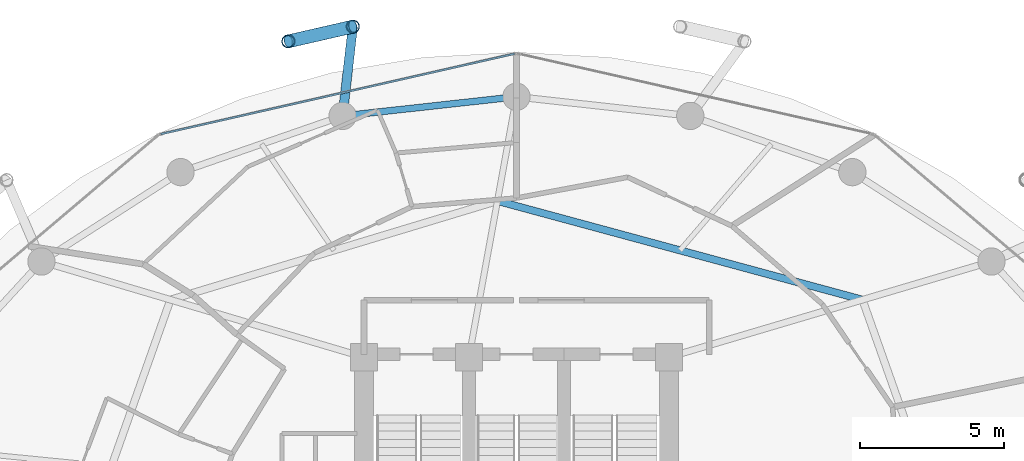
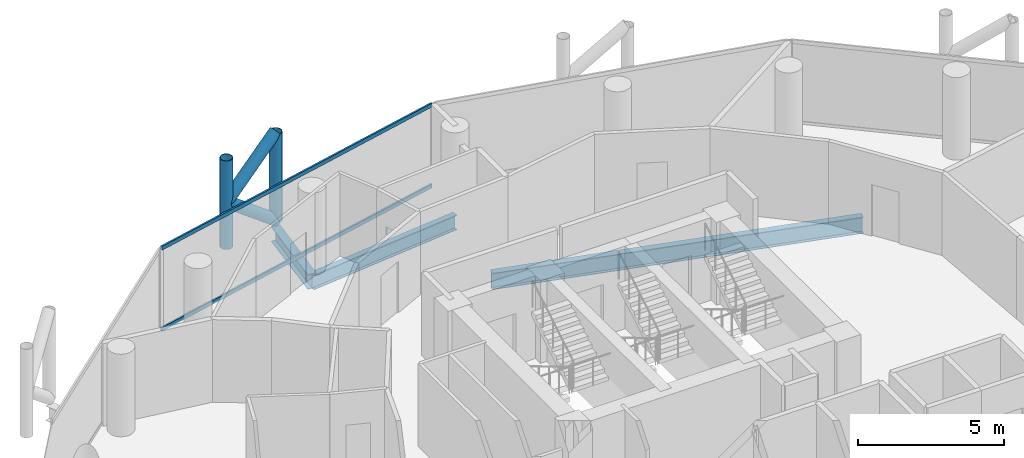
# One storey, part 16 of 26: 6 members, 3 beams, 1 element without a shape of its own.
"""IFC4 building model written with IfcOpenShell, lengths in metres."""

import ifcopenshell
import ifcopenshell.guid

model = None  # the IFC model being written
_history = None  # IfcOwnerHistory: only IFC2X3 demands one
_inside = {}  # id of a spatial element -> (the spatial element, [elements in it])
_under = {}  # id of a project, library or spatial element -> (it, [spatial elements below it])
_declared = {}  # id of a project -> (the project, [libraries it declares])
_typed = {}  # id of a type object -> (the type object, [elements of that type])
_made_of = {}  # id of a material, layer set ... -> (it, [elements and type objects made of it])


def new_model(schema):
    """Start an empty IFC model of exactly this schema.

    Asked for "IFC4X3", IfcOpenShell would pick the latest addendum, in which some entities
    have other attributes; the version numbers below select the first issue.
    IFC2X3 requires an IfcOwnerHistory on every rooted entity: one is made here for all.
    """
    global model, _history
    if schema == "IFC4X3":
        model = ifcopenshell.file(schema_version=(4, 3, 0, 0))
    else:
        model = ifcopenshell.file(schema=schema)
    _inside.clear()
    _under.clear()
    _declared.clear()
    _typed.clear()
    _made_of.clear()
    _history = None
    if model.schema == "IFC2X3":
        org = make("IfcOrganization", Name="unknown")
        user = make(
            "IfcPersonAndOrganization",
            ThePerson=make("IfcPerson", FamilyName="unknown"),
            TheOrganization=org,
        )
        app = make(
            "IfcApplication",
            ApplicationDeveloper=org,
            Version="unknown",
            ApplicationFullName="unknown",
            ApplicationIdentifier="unknown",
        )
        _history = make(
            "IfcOwnerHistory",
            OwningUser=user,
            OwningApplication=app,
            ChangeAction="ADDED",
            CreationDate=0,
        )
    return model


def make(cls, **values):
    """One entity of the class cls with the attributes given. An attribute that is None is left unset."""
    return model.create_entity(
        cls, **{name: value for name, value in values.items() if value is not None}
    )


def rooted(cls, **values):
    """An entity with a GlobalId (a new one), such as an element, a storey or a relation."""
    return make(cls, GlobalId=ifcopenshell.guid.new(), OwnerHistory=_history, **values)


def si_unit(unit_type, name, prefix=None):
    """IfcSIUnit, for example si_unit("LENGTHUNIT", "METRE", prefix="MILLI")."""
    return make("IfcSIUnit", UnitType=unit_type, Prefix=prefix, Name=name)


def assignment(units):
    """IfcUnitAssignment: the units of a project."""
    return None if units is None else make("IfcUnitAssignment", Units=units)


def point(xyz):
    """IfcCartesianPoint."""
    return None if xyz is None else make("IfcCartesianPoint", Coordinates=xyz)


def direction(xyz):
    """IfcDirection."""
    return None if xyz is None else make("IfcDirection", DirectionRatios=xyz)


def frame(location, z_axis=None, x_axis=None):
    """IfcAxis2Placement3D, a coordinate frame: its origin and axes. An axis left out is left unset."""
    return make(
        "IfcAxis2Placement3D",
        Location=point(location),
        Axis=direction(z_axis),
        RefDirection=direction(x_axis),
    )


def frame_2d(location, x_axis=None):
    """IfcAxis2Placement2D, a coordinate frame in the plane: its origin and x axis."""
    return make(
        "IfcAxis2Placement2D", Location=point(location), RefDirection=direction(x_axis)
    )


def origin():
    """The frame at (0, 0, 0) with its axes left unset."""
    return frame((0.0, 0.0, 0.0))


def origin_2d():
    """The frame at (0, 0) in the plane with its x axis left unset."""
    return frame_2d((0.0, 0.0))


def place(relative_to, where):
    """IfcLocalPlacement: puts the frame where relative to a parent placement (None: the world)."""
    return make(
        "IfcLocalPlacement", PlacementRelTo=relative_to, RelativePlacement=where
    )


def context(
    kind, dimensions, precision=None, world=None, true_north=None, identifier=None
):
    """IfcGeometricRepresentationContext, for example the 3D "Model" context."""
    return make(
        "IfcGeometricRepresentationContext",
        ContextIdentifier=identifier,
        ContextType=kind,
        CoordinateSpaceDimension=dimensions,
        Precision=precision,
        WorldCoordinateSystem=world,
        TrueNorth=true_north,
    )


def subcontext(parent, identifier, kind, view, scale=None):
    """IfcGeometricRepresentationSubContext, for example "Body" below "Model"."""
    return make(
        "IfcGeometricRepresentationSubContext",
        ContextIdentifier=identifier,
        ContextType=kind,
        ParentContext=parent,
        TargetScale=scale,
        TargetView=view,
    )


def project(units=None, contexts=None):
    """IfcProject with its units and contexts."""
    return rooted(
        "IfcProject",
        Name="project",
        RepresentationContexts=contexts,
        UnitsInContext=assignment(units),
    )


def spatial(cls, under=None, at=None, **own):
    """A site, building, storey or space (cls), placed at a placement, below another one or the project."""
    s = rooted(cls, ObjectPlacement=at, **own)
    if under is not None:
        _under.setdefault(under.id(), (under, []))[1].append(s)
    return s


def profile(cls, at=None, kind="AREA", **sizes):
    """A parametric profile (cls). Its sizes go by their IFC names, for example OverallWidth=200.0."""
    return make(cls, ProfileType=kind, Position=at, **sizes)


def hollow_rectangle(**sizes):
    """IfcRectangleHollowProfileDef."""
    return profile("IfcRectangleHollowProfileDef", **sizes)


def hollow_circle(**sizes):
    """IfcCircleHollowProfileDef."""
    return profile("IfcCircleHollowProfileDef", **sizes)


def i_section(**sizes):
    """IfcIShapeProfileDef."""
    return profile("IfcIShapeProfileDef", **sizes)


def extrude(swept, where, along, depth):
    """IfcExtrudedAreaSolid: the profile swept, set in the frame where, extruded along a direction by depth."""
    return make(
        "IfcExtrudedAreaSolid",
        SweptArea=swept,
        Position=where,
        ExtrudedDirection=direction(along),
        Depth=depth,
    )


def shape(context_of_items, identifier, shape_type, items):
    """IfcShapeRepresentation: the items that make up one representation, for example the "Body"."""
    return make(
        "IfcShapeRepresentation",
        ContextOfItems=context_of_items,
        RepresentationIdentifier=identifier,
        RepresentationType=shape_type,
        Items=items,
    )


def material(Name=None, Category=None):
    """IfcMaterial."""
    return make("IfcMaterial", Name=Name, Category=Category)


def layer(
    of_material, thickness, ventilated=None, Name=None, Category=None, Priority=None
):
    """IfcMaterialLayer: one layer of a wall or slab, of a material (None: an air gap)."""
    return make(
        "IfcMaterialLayer",
        Material=of_material,
        LayerThickness=thickness,
        IsVentilated=ventilated,
        Name=Name,
        Category=Category,
        Priority=Priority,
    )


def layer_set(layers, Name=None):
    """IfcMaterialLayerSet."""
    return make("IfcMaterialLayerSet", MaterialLayers=layers, LayerSetName=Name)


def material_profile(
    of_material, cross_section, Name=None, Category=None, Priority=None
):
    """IfcMaterialProfile: a cross section and its material."""
    return make(
        "IfcMaterialProfile",
        Name=Name,
        Material=of_material,
        Profile=cross_section,
        Priority=Priority,
        Category=Category,
    )


def profile_set(profiles, Name=None, composite=None):
    """IfcMaterialProfileSet."""
    return make(
        "IfcMaterialProfileSet",
        Name=Name,
        MaterialProfiles=profiles,
        CompositeProfile=composite,
    )


def made_of(thing, what):
    """Note that an element or type object is made of a material, layer set ...; save() writes the relation."""
    if what is not None:
        _made_of.setdefault(what.id(), (what, []))[1].append(thing)
    return thing


def type_object(cls, material=None, **own):
    """A type object (cls), such as IfcWallType, which elements share."""
    return made_of(rooted(cls, **own), material)


def element(
    cls,
    number,
    at=None,
    inside=None,
    cuts=None,
    type_object=None,
    material=None,
    context=None,
    identifier="Body",
    shape_type=None,
    held_by="IfcProductDefinitionShape",
    body=None,
    shapes=None,
    **own,
):
    """One element of the class cls, such as IfcWall. Its Tag is "e" and its number.

    at: its placement. inside: the storey or other place that contains it. cuts: it is an
    opening in that element (IfcRelVoidsElement). A single representation is given by context,
    identifier, shape_type and body (its items); several are given by shapes. held_by: the class
    of the entity that holds the representations. save() writes the other relations.
    """
    e = rooted(cls, Tag="e%d" % number, ObjectPlacement=at, **own)
    if body is not None:
        shapes = [shape(context, identifier, shape_type, body)]
    if shapes is not None:
        e.Representation = make(held_by, Representations=shapes)
    if inside is not None:
        _inside.setdefault(inside.id(), (inside, []))[1].append(e)
    if cuts is not None:
        rooted(
            "IfcRelVoidsElement", RelatingBuildingElement=cuts, RelatedOpeningElement=e
        )
    if type_object is not None:
        _typed.setdefault(type_object.id(), (type_object, []))[1].append(e)
    return made_of(e, material)


def aggregate(whole, parts):
    """IfcRelAggregates: a whole, such as a stair, and the parts it consists of."""
    return rooted("IfcRelAggregates", RelatingObject=whole, RelatedObjects=parts)


def save(model, path):
    """Write the relations noted so far, then the file.

    IfcRelAggregates (storeys below a building ...), IfcRelContainedInSpatialStructure (elements
    in a storey), IfcRelDefinesByType, IfcRelAssociatesMaterial and IfcRelDeclares: one each for
    every whole, place, type object, material and project.
    """
    for whole, parts in _under.values():
        aggregate(whole, parts)
    for where, things in _inside.values():
        rooted(
            "IfcRelContainedInSpatialStructure",
            RelatedElements=things,
            RelatingStructure=where,
        )
    for kind, things in _typed.values():
        rooted("IfcRelDefinesByType", RelatedObjects=things, RelatingType=kind)
    for what, things in _made_of.values():
        rooted("IfcRelAssociatesMaterial", RelatedObjects=things, RelatingMaterial=what)
    for by, libraries in _declared.values():
        rooted("IfcRelDeclares", RelatingContext=by, RelatedDefinitions=libraries)
    model.write(path)


model = new_model("IFC4")

# Units and contexts
model_context = context("Model", 3, precision=1e-05, world=origin(), true_north=direction((0.0, 1.0)))
body_context = subcontext(model_context, "Body", "Model", "MODEL_VIEW")
ifc_project = project(units=[si_unit("LENGTHUNIT", "METRE"), si_unit("AREAUNIT", "SQUARE_METRE"), si_unit("VOLUMEUNIT", "CUBIC_METRE"), si_unit("PLANEANGLEUNIT", "RADIAN"), si_unit("MASSUNIT", "GRAM", prefix="KILO")], contexts=[model_context])

# Site, building, storey
site_placement = place(None, origin())
site = spatial("IfcSite", under=ifc_project, at=site_placement, CompositionType="ELEMENT")
building_placement = place(site_placement, origin())
building = spatial("IfcBuilding", under=site, at=building_placement, Name="Nuhasar Tower", CompositionType="ELEMENT")
storey_placement = place(building_placement, frame((0.0, 0.0, 144.14990234375)))
storey = spatial("IfcBuildingStorey", under=building, at=storey_placement, Name="L34", CompositionType="ELEMENT", Elevation=144.14990234375)

# Beams
ifc_material_1 = material(Name="Steel S355", Category="steel")
ifc_material_profile_1 = material_profile(ifc_material_1, i_section(OverallWidth=0.25390625, OverallDepth=0.68408203125, WebThickness=0.012451171875, FlangeThickness=0.018798828125, at=origin_2d()), Name="W27X94")
ifc_profile_set_1 = profile_set([ifc_material_profile_1], Name="Steel S355")
beam_type_1 = type_object("IfcBeamType", Name="BM-INRING-W27X94", PredefinedType="BEAM", material=ifc_profile_set_1)
beam_1_placement = place(storey_placement, frame((51.027099609375, 39.2939453125, -0.591796875), z_axis=(-0.96522695776, 0.261413312618, 0.0), x_axis=(-0.261413312618, -0.96522695776, 0.0)))
element("IfcBeam", 1, at=beam_1_placement, inside=storey, type_object=beam_type_1, Name="L34 Inner Header Beam 05", PredefinedType="BEAM", context=body_context, shape_type="SweptSolid", body=[
    extrude(i_section(OverallWidth=0.25390625, OverallDepth=0.68408203125, WebThickness=0.012451171875, FlangeThickness=0.018798828125, at=origin_2d()), origin(), (0.0, 0.0, 1.0), 13.14404296875),
])
ifc_material_profile_2 = material_profile(ifc_material_1, i_section(OverallWidth=0.22998046875, OverallDepth=0.616943359375, WebThickness=0.01318359375, FlangeThickness=0.022216796875, at=origin_2d()), Name="W24X94")
ifc_profile_set_2 = profile_set([ifc_material_profile_2], Name="Steel S355")
beam_type_2 = type_object("IfcBeamType", Name="BM-RING-W24X94", PredefinedType="SPANDREL", material=ifc_profile_set_2)
beam_2_placement = place(storey_placement, frame((39.0, 46.35009765625, -0.558837890625), z_axis=(-0.993981289157, -0.109549974015, 0.0), x_axis=(0.109549974015, -0.993981289157, 0.0)))
element("IfcBeam", 2, at=beam_2_placement, inside=storey, type_object=beam_type_2, Name="L34 Perimeter Ring Spandrel 07", PredefinedType="SPANDREL", context=body_context, shape_type="SweptSolid", body=[
    extrude(i_section(OverallWidth=0.22998046875, OverallDepth=0.616943359375, WebThickness=0.01318359375, FlangeThickness=0.022216796875, at=origin_2d()), origin(), (0.0, 0.0, 1.0), 6.07958984375),
])
ifc_material_profile_3 = material_profile(ifc_material_1, i_section(OverallWidth=0.323974609375, OverallDepth=0.611083984375, WebThickness=0.0126953125, FlangeThickness=0.01904296875, at=origin_2d()), Name="W24X104")
ifc_profile_set_3 = profile_set([ifc_material_profile_3], Name="Steel S355")
beam_type_3 = type_object("IfcBeamType", Name="BM-TIE-W24X104", PredefinedType="BEAM", material=ifc_profile_set_3)
beam_3_placement = place(storey_placement, frame((32.95703125, 45.68408203125, -0.554931640625), z_axis=(0.114167639647, 0.993461499031, 0.0), x_axis=(-0.993461499031, 0.114167639647, 0.0)))
element("IfcBeam", 3, at=beam_3_placement, inside=storey, type_object=beam_type_3, Name="L34 Exoskeleton Node Tie Beam 04", PredefinedType="BEAM", context=body_context, shape_type="SweptSolid", body=[
    extrude(i_section(OverallWidth=0.323974609375, OverallDepth=0.611083984375, WebThickness=0.0126953125, FlangeThickness=0.01904296875, at=origin_2d()), origin(), (0.0, 0.0, 1.0), 3.12646484375),
])

# Curtain wall, members
ifc_material_2 = material(Name="Aluminium 6063-T6", Category="aluminium")
ifc_layer = layer(ifc_material_2, 0.199951171875)
ifc_layer_set = layer_set([ifc_layer], Name="Aluminium 6063-T6")
curtain_wall_type = type_object("IfcCurtainWallType", Name="CW-Z2-HTL", PredefinedType="NOTDEFINED", material=ifc_layer_set)
curtain_wall_placement = place(storey_placement, origin())
curtain_wall = element("IfcCurtainWall", 4, at=curtain_wall_placement, inside=storey, type_object=curtain_wall_type, Name="L34 Unitised Curtain Wall 04", PredefinedType="NOTDEFINED")
ifc_material_profile_4 = material_profile(ifc_material_2, hollow_rectangle(XDim=0.070068359375, YDim=0.159912109375, WallThickness=0.00439453125, at=origin_2d()), Name="CWT-3")
ifc_profile_set_4 = profile_set([ifc_material_profile_4], Name="Aluminium 6063-T6")
member_type_1 = type_object("IfcMemberType", Name="CW-TRN-S3", PredefinedType="USERDEFINED", material=ifc_profile_set_4)
member_1_placement = place(storey_placement, frame((38.931640625, 47.844482421875, 0.03515625), z_axis=(-0.975183434528, -0.221398439519, 0.0), x_axis=(0.221398439519, -0.975183434528, 0.0)))
member_1 = element("IfcMember", 5, at=member_1_placement, type_object=member_type_1, Name="CW-Z2 transom 1.1", ObjectType="TRANSOM", PredefinedType="USERDEFINED", context=body_context, shape_type="SweptSolid", body=[
    extrude(hollow_rectangle(XDim=0.070068359375, YDim=0.159912109375, WallThickness=0.00439453125, at=origin_2d()), origin(), (0.0, 0.0, 1.0), 12.606201171875),
])
member_2_placement = place(storey_placement, frame((38.931640625, 47.844482421875, 3.4150390625), z_axis=(-0.975183434528, -0.221398439519, 0.0), x_axis=(0.221398439519, -0.975183434528, 0.0)))
member_2 = element("IfcMember", 6, at=member_2_placement, type_object=member_type_1, Name="CW-Z2 transom 1.2", ObjectType="TRANSOM", PredefinedType="USERDEFINED", context=body_context, shape_type="SweptSolid", body=[
    extrude(hollow_rectangle(XDim=0.070068359375, YDim=0.159912109375, WallThickness=0.00439453125, at=origin_2d()), origin(), (0.0, 0.0, 1.0), 12.606201171875),
])
aggregate(curtain_wall, [member_1, member_2])

# Members
ifc_material_3 = material(Name="Steel S460", Category="steel")
ifc_material_profile_5 = material_profile(ifc_material_3, hollow_circle(Radius=0.228515625, WallThickness=0.022216796875, at=origin_2d()), Name="HSS457X22.2")
ifc_profile_set_5 = profile_set([ifc_material_profile_5], Name="Steel S460")
member_type_2 = type_object("IfcMemberType", Name="EXO-BRONZE-457", PredefinedType="BRACE", material=ifc_profile_set_5)
for number, where, z_axis, x_axis, name in (
    (7, (33.31396484375, 48.7900390625, 0.0), (0.0, 0.0, 1.0), (1.0, 0.0, 0.0), "L34 Exoskeleton Chord Column EC-04A"),
    (8, (31.072021484375, 48.27587890625, 0.0), (0.0, 0.0, 1.0), (1.0, 0.0, 0.0), "L34 Exoskeleton Chord Column EC-04B"),
):
    element("IfcMember", number, at=place(storey_placement, frame(where, z_axis=z_axis, x_axis=x_axis)), inside=storey, type_object=member_type_2, Name=name, PredefinedType="BRACE", context=body_context, shape_type="SweptSolid", body=[
        extrude(hollow_circle(Radius=0.228515625, WallThickness=0.022216796875, at=origin_2d()), origin(), (0.0, 0.0, 1.0), 3.7001953125),
    ])
for number, where, z_axis, x_axis, name in (
    (9, (33.31396484375, 48.7900390625, 0.0), (-0.759499549084, -0.174181209885, 0.626754609927), (0.223533724104, -0.974696195842, 0.0), "L34 Bronze Diagrid Brace W1-04"),
    (10, (31.072021484375, 48.27587890625, 1.85009765625), (0.759499549084, 0.174181209885, 0.626754609927), (-0.223533724104, 0.974696195842, 0.0), "L34 Bronze Diagrid Brace W2-04"),
):
    element("IfcMember", number, at=place(storey_placement, frame(where, z_axis=z_axis, x_axis=x_axis)), inside=storey, type_object=member_type_2, Name=name, PredefinedType="BRACE", context=body_context, shape_type="SweptSolid", body=[
        extrude(hollow_circle(Radius=0.228515625, WallThickness=0.022216796875, at=origin_2d()), origin(), (0.0, 0.0, 1.0), 2.951904296875),
    ])

save(model, "model.ifc")
